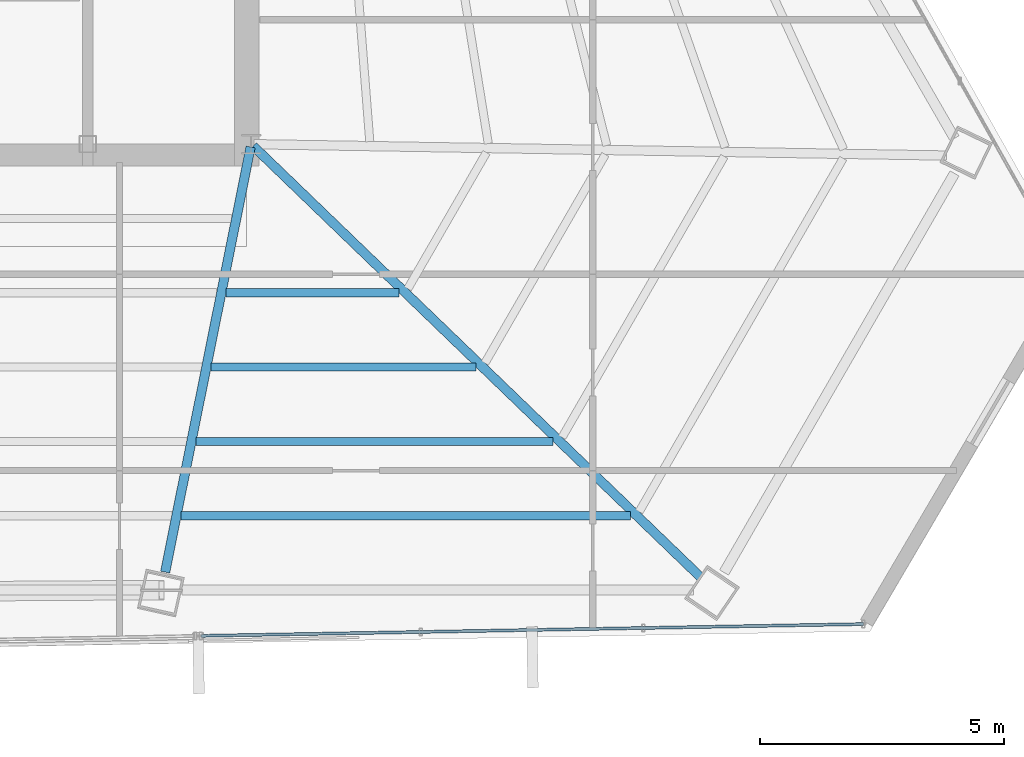
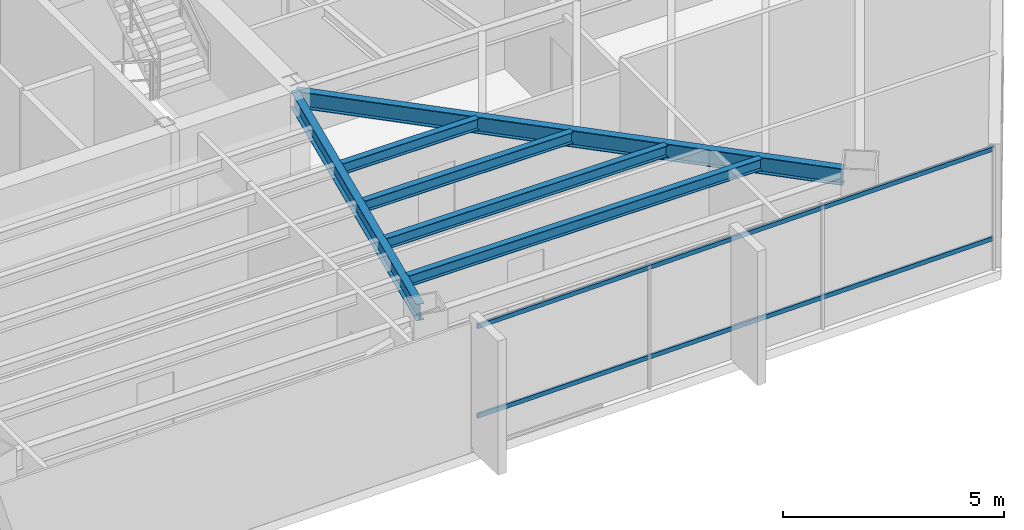
# One storey, part 19 of 44: 6 beams, 2 members, 1 element without a shape of its own.
"""IFC4 building model written with IfcOpenShell, lengths in metres."""

import ifcopenshell
import ifcopenshell.guid

model = None  # the IFC model being written
_history = None  # IfcOwnerHistory: only IFC2X3 demands one
_inside = {}  # id of a spatial element -> (the spatial element, [elements in it])
_under = {}  # id of a project, library or spatial element -> (it, [spatial elements below it])
_declared = {}  # id of a project -> (the project, [libraries it declares])
_typed = {}  # id of a type object -> (the type object, [elements of that type])
_made_of = {}  # id of a material, layer set ... -> (it, [elements and type objects made of it])


def new_model(schema):
    """Start an empty IFC model of exactly this schema.

    Asked for "IFC4X3", IfcOpenShell would pick the latest addendum, in which some entities
    have other attributes; the version numbers below select the first issue.
    IFC2X3 requires an IfcOwnerHistory on every rooted entity: one is made here for all.
    """
    global model, _history
    if schema == "IFC4X3":
        model = ifcopenshell.file(schema_version=(4, 3, 0, 0))
    else:
        model = ifcopenshell.file(schema=schema)
    _inside.clear()
    _under.clear()
    _declared.clear()
    _typed.clear()
    _made_of.clear()
    _history = None
    if model.schema == "IFC2X3":
        org = make("IfcOrganization", Name="unknown")
        user = make(
            "IfcPersonAndOrganization",
            ThePerson=make("IfcPerson", FamilyName="unknown"),
            TheOrganization=org,
        )
        app = make(
            "IfcApplication",
            ApplicationDeveloper=org,
            Version="unknown",
            ApplicationFullName="unknown",
            ApplicationIdentifier="unknown",
        )
        _history = make(
            "IfcOwnerHistory",
            OwningUser=user,
            OwningApplication=app,
            ChangeAction="ADDED",
            CreationDate=0,
        )
    return model


def make(cls, **values):
    """One entity of the class cls with the attributes given. An attribute that is None is left unset."""
    return model.create_entity(
        cls, **{name: value for name, value in values.items() if value is not None}
    )


def rooted(cls, **values):
    """An entity with a GlobalId (a new one), such as an element, a storey or a relation."""
    return make(cls, GlobalId=ifcopenshell.guid.new(), OwnerHistory=_history, **values)


def si_unit(unit_type, name, prefix=None):
    """IfcSIUnit, for example si_unit("LENGTHUNIT", "METRE", prefix="MILLI")."""
    return make("IfcSIUnit", UnitType=unit_type, Prefix=prefix, Name=name)


def assignment(units):
    """IfcUnitAssignment: the units of a project."""
    return None if units is None else make("IfcUnitAssignment", Units=units)


def point(xyz):
    """IfcCartesianPoint."""
    return None if xyz is None else make("IfcCartesianPoint", Coordinates=xyz)


def direction(xyz):
    """IfcDirection."""
    return None if xyz is None else make("IfcDirection", DirectionRatios=xyz)


def frame(location, z_axis=None, x_axis=None):
    """IfcAxis2Placement3D, a coordinate frame: its origin and axes. An axis left out is left unset."""
    return make(
        "IfcAxis2Placement3D",
        Location=point(location),
        Axis=direction(z_axis),
        RefDirection=direction(x_axis),
    )


def frame_2d(location, x_axis=None):
    """IfcAxis2Placement2D, a coordinate frame in the plane: its origin and x axis."""
    return make(
        "IfcAxis2Placement2D", Location=point(location), RefDirection=direction(x_axis)
    )


def origin():
    """The frame at (0, 0, 0) with its axes left unset."""
    return frame((0.0, 0.0, 0.0))


def origin_2d():
    """The frame at (0, 0) in the plane with its x axis left unset."""
    return frame_2d((0.0, 0.0))


def place(relative_to, where):
    """IfcLocalPlacement: puts the frame where relative to a parent placement (None: the world)."""
    return make(
        "IfcLocalPlacement", PlacementRelTo=relative_to, RelativePlacement=where
    )


def context(
    kind, dimensions, precision=None, world=None, true_north=None, identifier=None
):
    """IfcGeometricRepresentationContext, for example the 3D "Model" context."""
    return make(
        "IfcGeometricRepresentationContext",
        ContextIdentifier=identifier,
        ContextType=kind,
        CoordinateSpaceDimension=dimensions,
        Precision=precision,
        WorldCoordinateSystem=world,
        TrueNorth=true_north,
    )


def subcontext(parent, identifier, kind, view, scale=None):
    """IfcGeometricRepresentationSubContext, for example "Body" below "Model"."""
    return make(
        "IfcGeometricRepresentationSubContext",
        ContextIdentifier=identifier,
        ContextType=kind,
        ParentContext=parent,
        TargetScale=scale,
        TargetView=view,
    )


def project(units=None, contexts=None):
    """IfcProject with its units and contexts."""
    return rooted(
        "IfcProject",
        Name="project",
        RepresentationContexts=contexts,
        UnitsInContext=assignment(units),
    )


def spatial(cls, under=None, at=None, **own):
    """A site, building, storey or space (cls), placed at a placement, below another one or the project."""
    s = rooted(cls, ObjectPlacement=at, **own)
    if under is not None:
        _under.setdefault(under.id(), (under, []))[1].append(s)
    return s


def profile(cls, at=None, kind="AREA", **sizes):
    """A parametric profile (cls). Its sizes go by their IFC names, for example OverallWidth=200.0."""
    return make(cls, ProfileType=kind, Position=at, **sizes)


def hollow_rectangle(**sizes):
    """IfcRectangleHollowProfileDef."""
    return profile("IfcRectangleHollowProfileDef", **sizes)


def i_section(**sizes):
    """IfcIShapeProfileDef."""
    return profile("IfcIShapeProfileDef", **sizes)


def extrude(swept, where, along, depth):
    """IfcExtrudedAreaSolid: the profile swept, set in the frame where, extruded along a direction by depth."""
    return make(
        "IfcExtrudedAreaSolid",
        SweptArea=swept,
        Position=where,
        ExtrudedDirection=direction(along),
        Depth=depth,
    )


def shape(context_of_items, identifier, shape_type, items):
    """IfcShapeRepresentation: the items that make up one representation, for example the "Body"."""
    return make(
        "IfcShapeRepresentation",
        ContextOfItems=context_of_items,
        RepresentationIdentifier=identifier,
        RepresentationType=shape_type,
        Items=items,
    )


def source(mapping_origin, context_of_items, identifier, shape_type, items):
    """IfcRepresentationMap: a shape defined once, which mapped items show again and again."""
    return make(
        "IfcRepresentationMap",
        MappingOrigin=mapping_origin,
        MappedRepresentation=shape(context_of_items, identifier, shape_type, items),
    )


def transform(
    local_origin,
    x_axis=None,
    y_axis=None,
    z_axis=None,
    scale=None,
    scale2=None,
    scale3=None,
    uniform=True,
):
    """IfcCartesianTransformationOperator3D, or its non-uniform kind. x_axis, y_axis, z_axis: its Axis1, 2, 3."""
    if uniform:
        return make(
            "IfcCartesianTransformationOperator3D",
            Axis1=direction(x_axis),
            Axis2=direction(y_axis),
            LocalOrigin=point(local_origin),
            Scale=scale,
            Axis3=direction(z_axis),
        )
    return make(
        "IfcCartesianTransformationOperator3DnonUniform",
        Axis1=direction(x_axis),
        Axis2=direction(y_axis),
        LocalOrigin=point(local_origin),
        Scale=scale,
        Axis3=direction(z_axis),
        Scale2=scale2,
        Scale3=scale3,
    )


def mapped(mapping_source, mapping_target):
    """IfcMappedItem: shows the shape of a source again, moved by a transform."""
    return make(
        "IfcMappedItem", MappingSource=mapping_source, MappingTarget=mapping_target
    )


def material(Name=None, Category=None):
    """IfcMaterial."""
    return make("IfcMaterial", Name=Name, Category=Category)


def material_profile(
    of_material, cross_section, Name=None, Category=None, Priority=None
):
    """IfcMaterialProfile: a cross section and its material."""
    return make(
        "IfcMaterialProfile",
        Name=Name,
        Material=of_material,
        Profile=cross_section,
        Priority=Priority,
        Category=Category,
    )


def profile_set(profiles, Name=None, composite=None):
    """IfcMaterialProfileSet."""
    return make(
        "IfcMaterialProfileSet",
        Name=Name,
        MaterialProfiles=profiles,
        CompositeProfile=composite,
    )


def made_of(thing, what):
    """Note that an element or type object is made of a material, layer set ...; save() writes the relation."""
    if what is not None:
        _made_of.setdefault(what.id(), (what, []))[1].append(thing)
    return thing


def type_object(cls, material=None, **own):
    """A type object (cls), such as IfcWallType, which elements share."""
    return made_of(rooted(cls, **own), material)


def type_shapes(of_type, sources):
    """Give a type object the sources (RepresentationMaps) that its elements show as mapped items."""
    of_type.RepresentationMaps = sources


def element(
    cls,
    number,
    at=None,
    inside=None,
    cuts=None,
    type_object=None,
    material=None,
    context=None,
    identifier="Body",
    shape_type=None,
    held_by="IfcProductDefinitionShape",
    body=None,
    shapes=None,
    **own,
):
    """One element of the class cls, such as IfcWall. Its Tag is "e" and its number.

    at: its placement. inside: the storey or other place that contains it. cuts: it is an
    opening in that element (IfcRelVoidsElement). A single representation is given by context,
    identifier, shape_type and body (its items); several are given by shapes. held_by: the class
    of the entity that holds the representations. save() writes the other relations.
    """
    e = rooted(cls, Tag="e%d" % number, ObjectPlacement=at, **own)
    if body is not None:
        shapes = [shape(context, identifier, shape_type, body)]
    if shapes is not None:
        e.Representation = make(held_by, Representations=shapes)
    if inside is not None:
        _inside.setdefault(inside.id(), (inside, []))[1].append(e)
    if cuts is not None:
        rooted(
            "IfcRelVoidsElement", RelatingBuildingElement=cuts, RelatedOpeningElement=e
        )
    if type_object is not None:
        _typed.setdefault(type_object.id(), (type_object, []))[1].append(e)
    return made_of(e, material)


def aggregate(whole, parts):
    """IfcRelAggregates: a whole, such as a stair, and the parts it consists of."""
    return rooted("IfcRelAggregates", RelatingObject=whole, RelatedObjects=parts)


def save(model, path):
    """Write the relations noted so far, then the file.

    IfcRelAggregates (storeys below a building ...), IfcRelContainedInSpatialStructure (elements
    in a storey), IfcRelDefinesByType, IfcRelAssociatesMaterial and IfcRelDeclares: one each for
    every whole, place, type object, material and project.
    """
    for whole, parts in _under.values():
        aggregate(whole, parts)
    for where, things in _inside.values():
        rooted(
            "IfcRelContainedInSpatialStructure",
            RelatedElements=things,
            RelatingStructure=where,
        )
    for kind, things in _typed.values():
        rooted("IfcRelDefinesByType", RelatedObjects=things, RelatingType=kind)
    for what, things in _made_of.values():
        rooted("IfcRelAssociatesMaterial", RelatedObjects=things, RelatingMaterial=what)
    for by, libraries in _declared.values():
        rooted("IfcRelDeclares", RelatingContext=by, RelatedDefinitions=libraries)
    model.write(path)


model = new_model("IFC4")

# Units and contexts
model_context = context("Model", 3, precision=1e-05, world=origin(), true_north=direction((0.0, 1.0)))
body_context = subcontext(model_context, "Body", "Model", "MODEL_VIEW")
ifc_project = project(units=[si_unit("LENGTHUNIT", "METRE"), si_unit("AREAUNIT", "SQUARE_METRE"), si_unit("VOLUMEUNIT", "CUBIC_METRE"), si_unit("PLANEANGLEUNIT", "RADIAN"), si_unit("MASSUNIT", "GRAM", prefix="KILO")], contexts=[model_context])

# Site, building, storey
site_placement = place(None, origin())
site = spatial("IfcSite", under=ifc_project, at=site_placement, CompositionType="ELEMENT")
building_placement = place(site_placement, origin())
building = spatial("IfcBuilding", under=site, at=building_placement, Name="Caelisora Broadcast Tower", CompositionType="ELEMENT")
storey_placement = place(building_placement, frame((0.0, 0.0, 198.64990234375)))
storey = spatial("IfcBuildingStorey", under=building, at=storey_placement, Name="L52", CompositionType="ELEMENT", Elevation=198.64990234375)

# Beams
ifc_material_1 = material(Name="Steel Grade 350 (AS/NZS 3679.1)", Category="steel")
ifc_material_profile_1 = material_profile(ifc_material_1, i_section(OverallWidth=0.19091796875, OverallDepth=0.46044921875, WebThickness=0.010009765625, FlangeThickness=0.01611328125, at=origin_2d()), Name="Steel Grade 350 (AS/NZS 3679.1)")
ifc_profile_set_1 = profile_set([ifc_material_profile_1], Name="Steel Grade 350 (AS/NZS 3679.1)")
beam_type_1 = type_object("IfcBeamType", Name="PG06", PredefinedType="BEAM", material=ifc_profile_set_1)
shared_shape_1 = source(origin(), body_context, "Body", "SweptSolid", [
    extrude(i_section(OverallWidth=0.19091796875, OverallDepth=0.46044921875, WebThickness=0.010009765625, FlangeThickness=0.01611328125, at=origin_2d()), origin(), (0.0, 0.0, 1.0), 12.736083984375),
])
beam_1_placement = place(storey_placement, frame((45.543212890625, 17.3583984375, 3.169921875), z_axis=(0.72009704759, -0.693873361683, 0.0), x_axis=(0.693873361683, 0.72009704759, 0.0)))
element("IfcBeam", 1, at=beam_1_placement, inside=storey, type_object=beam_type_1, Name="L52 beam PG06", PredefinedType="BEAM", context=body_context, shape_type="MappedRepresentation", body=[
    mapped(shared_shape_1, transform((0.0, 0.0, 0.0), scale=1.0)),
])
shared_shape_2 = source(origin(), body_context, "Body", "SweptSolid", [
    extrude(i_section(OverallWidth=0.19091796875, OverallDepth=0.46044921875, WebThickness=0.010009765625, FlangeThickness=0.01611328125, at=origin_2d()), origin(), (0.0, 0.0, 1.0), 8.886962890625),
])
type_shapes(beam_type_1, [shared_shape_1, shared_shape_2])
beam_2_placement = place(storey_placement, frame((45.48828125, 17.34130859375, 3.169921875), z_axis=(-0.197193762994, -0.980364534159, 0.0), x_axis=(0.980364534159, -0.197193762994, 0.0)))
element("IfcBeam", 2, at=beam_2_placement, inside=storey, type_object=beam_type_1, Name="L52 beam PG06", PredefinedType="BEAM", context=body_context, shape_type="MappedRepresentation", body=[
    mapped(shared_shape_2, transform((0.0, 0.0, 0.0), scale=1.0)),
])
ifc_material_profile_2 = material_profile(ifc_material_1, i_section(OverallWidth=0.166015625, OverallDepth=0.30712890625, WebThickness=0.006591796875, FlangeThickness=0.01171875, at=origin_2d()), Name="Steel Grade 350 (AS/NZS 3679.1)")
ifc_profile_set_2 = profile_set([ifc_material_profile_2], Name="Steel Grade 350 (AS/NZS 3679.1)")
beam_type_2 = type_object("IfcBeamType", Name="SB03", PredefinedType="JOIST", material=ifc_profile_set_2)
shared_shape_3 = source(origin(), body_context, "Body", "SweptSolid", [
    extrude(i_section(OverallWidth=0.166015625, OverallDepth=0.30712890625, WebThickness=0.006591796875, FlangeThickness=0.01171875, at=origin_2d()), origin(), (0.0, 0.0, 1.0), 3.54541015625),
])
beam_3_placement = place(storey_placement, frame((44.981689453125, 14.353515625, 3.24658203125), z_axis=(1.0, 0.0, 0.0), x_axis=(0.0, 1.0, 0.0)))
element("IfcBeam", 3, at=beam_3_placement, inside=storey, type_object=beam_type_2, Name="L52 beam SB03", PredefinedType="JOIST", context=body_context, shape_type="MappedRepresentation", body=[
    mapped(shared_shape_3, transform((0.0, 0.0, 0.0), scale=1.0)),
])
shared_shape_4 = source(origin(), body_context, "Body", "SweptSolid", [
    extrude(i_section(OverallWidth=0.166015625, OverallDepth=0.30712890625, WebThickness=0.006591796875, FlangeThickness=0.01171875, at=origin_2d()), origin(), (0.0, 0.0, 1.0), 5.4326171875),
])
beam_4_placement = place(storey_placement, frame((44.67529296875, 12.830078125, 3.24658203125), z_axis=(1.0, 0.0, 0.0), x_axis=(0.0, 1.0, 0.0)))
element("IfcBeam", 4, at=beam_4_placement, inside=storey, type_object=beam_type_2, Name="L52 beam SB03", PredefinedType="JOIST", context=body_context, shape_type="MappedRepresentation", body=[
    mapped(shared_shape_4, transform((0.0, 0.0, 0.0), scale=1.0)),
])
shared_shape_5 = source(origin(), body_context, "Body", "SweptSolid", [
    extrude(i_section(OverallWidth=0.166015625, OverallDepth=0.30712890625, WebThickness=0.006591796875, FlangeThickness=0.01171875, at=origin_2d()), origin(), (0.0, 0.0, 1.0), 7.320068359375),
])
beam_5_placement = place(storey_placement, frame((44.368896484375, 11.306884765625, 3.24658203125), z_axis=(1.0, 0.0, 0.0), x_axis=(0.0, 1.0, 0.0)))
element("IfcBeam", 5, at=beam_5_placement, inside=storey, type_object=beam_type_2, Name="L52 beam SB03", PredefinedType="JOIST", context=body_context, shape_type="MappedRepresentation", body=[
    mapped(shared_shape_5, transform((0.0, 0.0, 0.0), scale=1.0)),
])
shared_shape_6 = source(origin(), body_context, "Body", "SweptSolid", [
    extrude(i_section(OverallWidth=0.166015625, OverallDepth=0.30712890625, WebThickness=0.006591796875, FlangeThickness=0.01171875, at=origin_2d()), origin(), (0.0, 0.0, 1.0), 9.207275390625),
])
type_shapes(beam_type_2, [shared_shape_3, shared_shape_4, shared_shape_5, shared_shape_6])
beam_6_placement = place(storey_placement, frame((44.0625, 9.78369140625, 3.24658203125), z_axis=(1.0, 0.0, 0.0), x_axis=(0.0, 1.0, 0.0)))
element("IfcBeam", 6, at=beam_6_placement, inside=storey, type_object=beam_type_2, Name="L52 beam SB03", PredefinedType="JOIST", context=body_context, shape_type="MappedRepresentation", body=[
    mapped(shared_shape_6, transform((0.0, 0.0, 0.0), scale=1.0)),
])

# Curtain wall, members
ifc_material_2 = material(Name="Unitised Aluminium and Low-E Glass Curtain Wall", Category="glass")
curtain_wall_type = type_object("IfcCurtainWallType", Name="CW-Z4", PredefinedType="NOTDEFINED", material=ifc_material_2)
curtain_wall_placement = place(storey_placement, origin())
curtain_wall = element("IfcCurtainWall", 7, at=curtain_wall_placement, inside=storey, type_object=curtain_wall_type, Name="L52 curtain wall CW-Z4", PredefinedType="NOTDEFINED")
ifc_material_3 = material(Name="Aluminium 6063-T6 Anodised Terracotta Bronze", Category="aluminium")
ifc_material_profile_3 = material_profile(ifc_material_3, hollow_rectangle(XDim=0.06005859375, YDim=0.1201171875, WallThickness=0.0029296875, at=origin_2d()), Name="Aluminium 6063-T6 Anodised Terracotta Bronze")
ifc_profile_set_3 = profile_set([ifc_material_profile_3], Name="Aluminium 6063-T6 Anodised Terracotta Bronze")
member_type = type_object("IfcMemberType", Name="CWT-03", PredefinedType="USERDEFINED", material=ifc_profile_set_3)
shared_shape_7 = source(origin(), body_context, "Body", "SweptSolid", [
    extrude(hollow_rectangle(XDim=0.06005859375, YDim=0.1201171875, WallThickness=0.0029296875, at=origin_2d()), origin(), (0.0, 0.0, 1.0), 13.584228515625),
])
type_shapes(member_type, [shared_shape_7])
member_1_placement = place(storey_placement, frame((58.048095703125, 7.56298828125, 0.85009765625), z_axis=(-0.999841697449, -0.017792696298, 0.0), x_axis=(0.017792696298, -0.999841697449, 0.0)))
member_1 = element("IfcMember", 8, at=member_1_placement, type_object=member_type, Name="L52-CW-B05 transom #1", ObjectType="TRANSOM", PredefinedType="USERDEFINED", context=body_context, shape_type="MappedRepresentation", body=[
    mapped(shared_shape_7, transform((0.0, 0.0, 0.0), scale=1.0)),
])
member_2_placement = place(storey_placement, frame((58.048095703125, 7.56298828125, 3.320068359375), z_axis=(-0.999841697449, -0.017792696298, 0.0), x_axis=(0.017792696298, -0.999841697449, 0.0)))
member_2 = element("IfcMember", 9, at=member_2_placement, type_object=member_type, Name="L52-CW-B05 transom #2", ObjectType="TRANSOM", PredefinedType="USERDEFINED", context=body_context, shape_type="MappedRepresentation", body=[
    mapped(shared_shape_7, transform((0.0, 0.0, 0.0), scale=1.0)),
])
aggregate(curtain_wall, [member_1, member_2])

save(model, "model.ifc")
